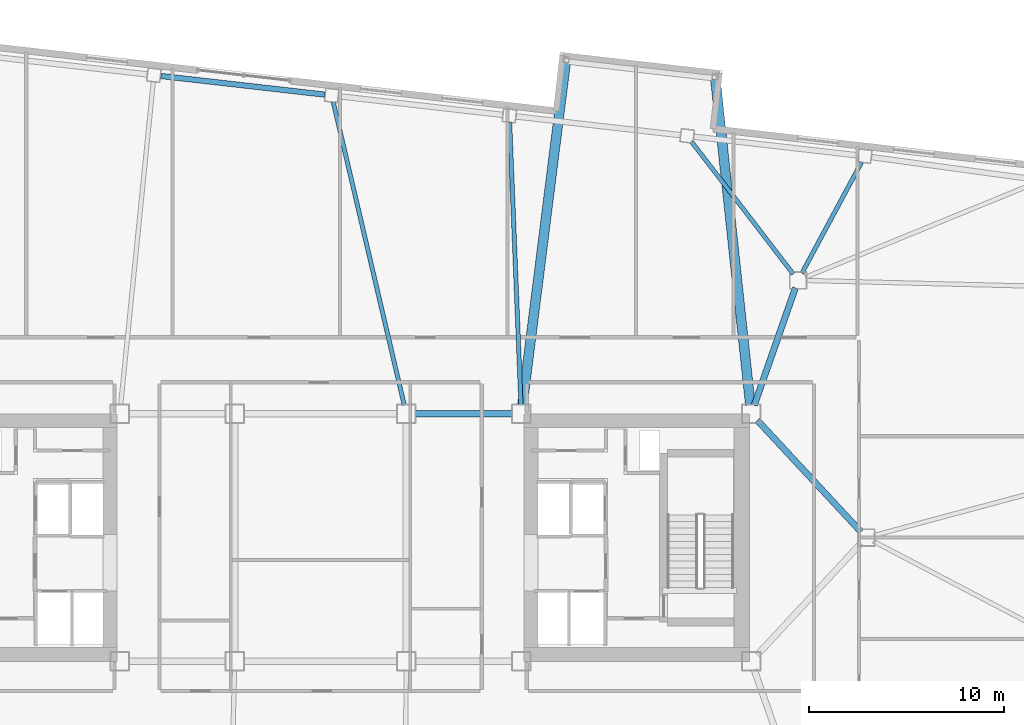
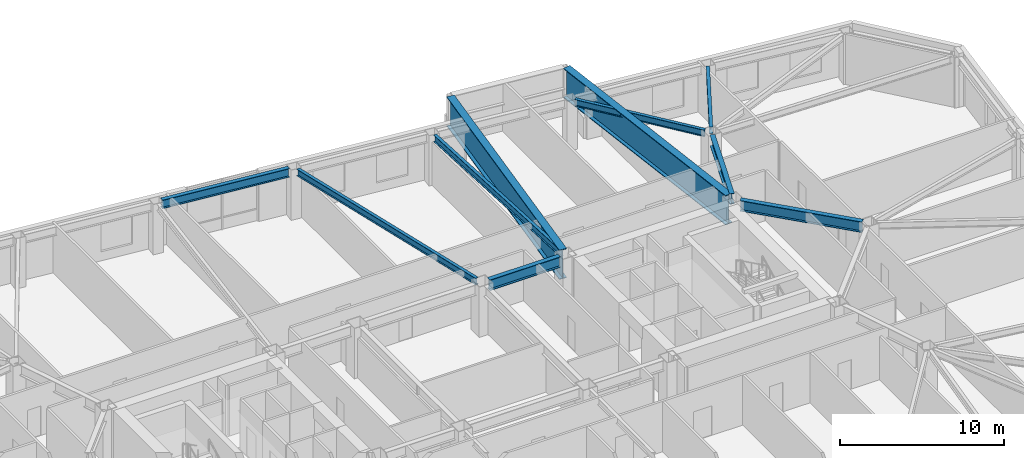
# One storey, part 9 of 22: 10 beams.
"""IFC4 building model written with IfcOpenShell, lengths in metres."""

from ifc_helpers import new_model, si_unit, direction, frame, origin, origin_2d, place, context, subcontext, project, spatial, i_section, extrude, material, material_profile, profile_set, type_object, element, save


model = new_model("IFC4")

# Units and contexts
model_context = context("Model", 3, precision=1e-05, world=origin(), true_north=direction((0.0, 1.0)))
body_context = subcontext(model_context, "Body", "Model", "MODEL_VIEW")
ifc_project = project(units=[si_unit("LENGTHUNIT", "METRE"), si_unit("AREAUNIT", "SQUARE_METRE"), si_unit("VOLUMEUNIT", "CUBIC_METRE"), si_unit("PLANEANGLEUNIT", "RADIAN"), si_unit("MASSUNIT", "GRAM", prefix="KILO")], contexts=[model_context])

# Site, building, storey
site_placement = place(None, origin())
site = spatial("IfcSite", under=ifc_project, at=site_placement, CompositionType="ELEMENT")
building_placement = place(site_placement, origin())
building = spatial("IfcBuilding", under=site, at=building_placement, Name="Tavrogorsk Clinical Tower", CompositionType="ELEMENT")
storey_placement = place(building_placement, frame((0.0, 0.0, 117.39990234375)))
storey = spatial("IfcBuildingStorey", under=building, at=storey_placement, Name="L26", CompositionType="ELEMENT", Elevation=117.39990234375)

# Beams
ifc_material_1 = material(Name="Structural steel S355", Category="steel")
ifc_material_profile_1 = material_profile(ifc_material_1, i_section(OverallWidth=0.219970703125, OverallDepth=0.5, WebThickness=0.012939453125, FlangeThickness=0.02001953125, at=origin_2d()), Name="B-500x220x13x20")
ifc_profile_set_1 = profile_set([ifc_material_profile_1], Name="Structural steel S355")
beam_type_1 = type_object("IfcBeamType", Name="FloorBeam_B500", PredefinedType="BEAM", material=ifc_profile_set_1)
beam_1_placement = place(storey_placement, frame((24.6943359375, 13.56103515625, 3.489990234375), z_axis=(0.473788919736, 0.880638438597, 0.0), x_axis=(-0.880638438597, 0.473788919736, 0.0)))
element("IfcBeam", 1, at=beam_1_placement, inside=storey, type_object=beam_type_1, Name="L26 Radial Floor Beam N2", PredefinedType="BEAM", context=body_context, shape_type="SweptSolid", body=[
    extrude(i_section(OverallWidth=0.219970703125, OverallDepth=0.5, WebThickness=0.012939453125, FlangeThickness=0.02001953125, at=origin_2d()), origin(), (0.0, 0.0, 1.0), 6.462890625),
])
beam_2_placement = place(storey_placement, frame((24.250244140625, 13.525146484375, 3.489990234375), z_axis=(-0.609376288757, 0.792881163038, 0.0), x_axis=(-0.792881163038, -0.609376288757, 0.0)))
element("IfcBeam", 2, at=beam_2_placement, inside=storey, type_object=beam_type_1, Name="L26 Radial Floor Beam N3", PredefinedType="BEAM", context=body_context, shape_type="SweptSolid", body=[
    extrude(i_section(OverallWidth=0.219970703125, OverallDepth=0.5, WebThickness=0.012939453125, FlangeThickness=0.02001953125, at=origin_2d()), origin(), (0.0, 0.0, 1.0), 8.5732421875),
])
beam_3_placement = place(storey_placement, frame((10.28173828125, 6.8095703125, 3.489990234375), z_axis=(-0.039881908424, 0.999204400201, 0.0), x_axis=(-0.999204400201, -0.039881908424, 0.0)))
element("IfcBeam", 3, at=beam_3_placement, inside=storey, type_object=beam_type_1, Name="L26 Radial Floor Beam N4", PredefinedType="BEAM", context=body_context, shape_type="SweptSolid", body=[
    extrude(i_section(OverallWidth=0.219970703125, OverallDepth=0.5, WebThickness=0.012939453125, FlangeThickness=0.02001953125, at=origin_2d()), origin(), (0.0, 0.0, 1.0), 14.48974609375),
])
beam_4_placement = place(storey_placement, frame((4.294921875, 6.7978515625, 3.489990234375), z_axis=(-0.228197667081, 0.973614823603, 0.0), x_axis=(-0.973614823603, -0.228197667081, 0.0)))
element("IfcBeam", 4, at=beam_4_placement, inside=storey, type_object=beam_type_1, Name="L26 Radial Floor Beam N5", PredefinedType="BEAM", context=body_context, shape_type="SweptSolid", body=[
    extrude(i_section(OverallWidth=0.219970703125, OverallDepth=0.5, WebThickness=0.012939453125, FlangeThickness=0.02001953125, at=origin_2d()), origin(), (0.0, 0.0, 1.0), 15.959228515625),
])
ifc_material_2 = material(Name="Structural steel S390", Category="steel")
ifc_material_profile_2 = material_profile(ifc_material_2, i_section(OverallWidth=0.320068359375, OverallDepth=0.800048828125, WebThickness=0.02001953125, FlangeThickness=0.033935546875, at=origin_2d()), Name="B-800x320x20x34")
ifc_profile_set_2 = profile_set([ifc_material_profile_2], Name="Structural steel S390")
beam_type_2 = type_object("IfcBeamType", Name="PrimaryGirder_B800", PredefinedType="USERDEFINED", material=ifc_profile_set_2)
beam_5_placement = place(storey_placement, frame((4.860107421875, 6.35009765625, 3.340087890625), z_axis=(1.0, 0.0, 0.0), x_axis=(0.0, 1.0, 0.0)))
element("IfcBeam", 5, at=beam_5_placement, inside=storey, type_object=beam_type_2, Name="L26 Primary Spine Girder MG-06", ObjectType="GIRDER", PredefinedType="USERDEFINED", context=body_context, shape_type="SweptSolid", body=[
    extrude(i_section(OverallWidth=0.320068359375, OverallDepth=0.800048828125, WebThickness=0.02001953125, FlangeThickness=0.033935546875, at=origin_2d()), origin(), (0.0, 0.0, 1.0), 4.97998046875),
])
beam_6_placement = place(storey_placement, frame((24.364501953125, 12.81298828125, 3.340087890625), z_axis=(-0.330660234815, -0.943749865755, 0.0), x_axis=(0.943749865755, -0.330660234815, 0.0)))
element("IfcBeam", 6, at=beam_6_placement, inside=storey, type_object=beam_type_2, Name="L26 Spine Link Girder OPG-4", ObjectType="GIRDER", PredefinedType="USERDEFINED", context=body_context, shape_type="SweptSolid", body=[
    extrude(i_section(OverallWidth=0.320068359375, OverallDepth=0.800048828125, WebThickness=0.02001953125, FlangeThickness=0.033935546875, at=origin_2d()), origin(), (0.0, 0.0, 1.0), 6.38818359375),
])
beam_7_placement = place(storey_placement, frame((27.720947265625, 0.30029296875, 3.340087890625), z_axis=(-0.680675630035, 0.732584934787, 0.0), x_axis=(-0.732584934787, -0.680675630035, 0.0)))
element("IfcBeam", 7, at=beam_7_placement, inside=storey, type_object=beam_type_2, Name="L26 Spine Link Girder OPG-8", ObjectType="GIRDER", PredefinedType="USERDEFINED", context=body_context, shape_type="SweptSolid", body=[
    extrude(i_section(OverallWidth=0.320068359375, OverallDepth=0.800048828125, WebThickness=0.02001953125, FlangeThickness=0.033935546875, at=origin_2d()), origin(), (0.0, 0.0, 1.0), 7.7978515625),
])
ifc_material_3 = material(Name="Structural steel S390", Category="steel")
ifc_material_profile_3 = material_profile(ifc_material_3, i_section(OverallWidth=0.280029296875, OverallDepth=0.64990234375, WebThickness=0.01611328125, FlangeThickness=0.02490234375, at=origin_2d()), Name="B-650x280x16x25")
ifc_profile_set_3 = profile_set([ifc_material_profile_3], Name="Structural steel S390")
beam_type_3 = type_object("IfcBeamType", Name="SpandrelBeam_B650", PredefinedType="SPANDREL", material=ifc_profile_set_3)
beam_8_placement = place(storey_placement, frame((0.2158203125, 22.724853515625, 3.4150390625), z_axis=(-0.993569819641, 0.113221082395, 0.0), x_axis=(-0.113221082395, -0.993569819641, 0.0)))
element("IfcBeam", 8, at=beam_8_placement, inside=storey, type_object=beam_type_3, Name="L26 Perimeter Spandrel N5-N6", PredefinedType="SPANDREL", context=body_context, shape_type="SweptSolid", body=[
    extrude(i_section(OverallWidth=0.280029296875, OverallDepth=0.64990234375, WebThickness=0.01611328125, FlangeThickness=0.02490234375, at=origin_2d()), origin(), (0.0, 0.0, 1.0), 8.46142578125),
])
ifc_material_4 = material(Name="Structural steel S440", Category="steel")
ifc_material_profile_4 = material_profile(ifc_material_4, i_section(OverallWidth=0.5, OverallDepth=2.199951171875, WebThickness=0.035888671875, FlangeThickness=0.054931640625, at=origin_2d()), Name="DK-2200x500x36x55")
ifc_profile_set_4 = profile_set([ifc_material_profile_4], Name="Structural steel S440")
beam_type_4 = type_object("IfcBeamType", Name="TransferGirder_DK2200", PredefinedType="USERDEFINED", material=ifc_profile_set_4)
beam_9_placement = place(storey_placement, frame((10.357666015625, 6.806396484375, 2.64013671875), z_axis=(0.125313964382, 0.992117135388, 0.0), x_axis=(-0.992117135388, 0.125313964382, 0.0)))
element("IfcBeam", 9, at=beam_9_placement, inside=storey, type_object=beam_type_4, Name="L26 Day-Room Cantilever Beam DRB-04-L", ObjectType="GIRDER", PredefinedType="USERDEFINED", context=body_context, shape_type="SweptSolid", body=[
    extrude(i_section(OverallWidth=0.5, OverallDepth=2.199951171875, WebThickness=0.035888671875, FlangeThickness=0.054931640625, at=origin_2d()), origin(), (0.0, 0.0, 1.0), 17.70947265625),
])
beam_10_placement = place(storey_placement, frame((22.051025390625, 6.807373046875, 2.64013671875), z_axis=(-0.106655298552, 0.994296056158, 0.0), x_axis=(-0.994296056158, -0.106655298552, 0.0)))
element("IfcBeam", 10, at=beam_10_placement, inside=storey, type_object=beam_type_4, Name="L26 Day-Room Cantilever Beam DRB-04-R", ObjectType="GIRDER", PredefinedType="USERDEFINED", context=body_context, shape_type="SweptSolid", body=[
    extrude(i_section(OverallWidth=0.5, OverallDepth=2.199951171875, WebThickness=0.035888671875, FlangeThickness=0.054931640625, at=origin_2d()), origin(), (0.0, 0.0, 1.0), 16.79248046875),
])

save(model, "model.ifc")
